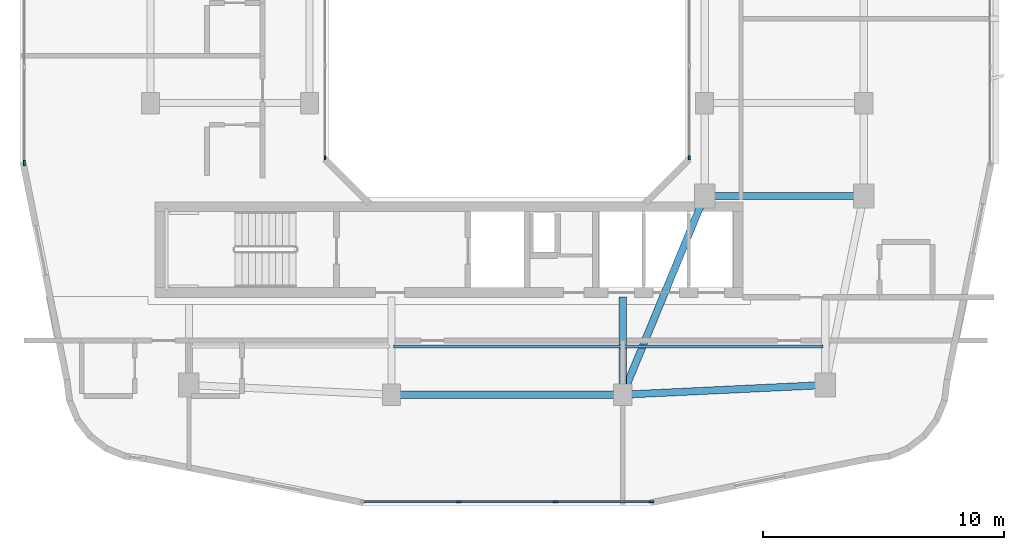
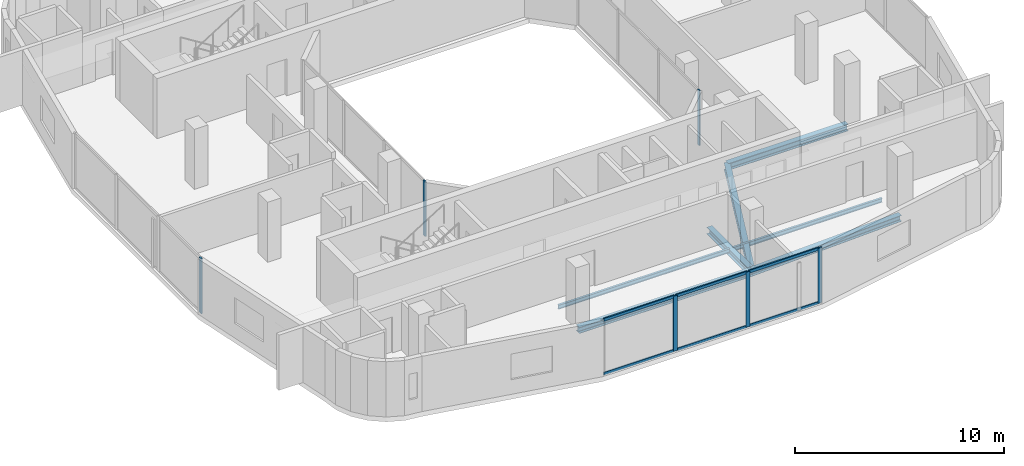
# One storey, part 2 of 14: 12 members, 7 beams, 4 elements without a shape of their own.
"""IFC4 building model written with IfcOpenShell, lengths in metres."""

import ifcopenshell
import ifcopenshell.guid

model = None  # the IFC model being written
_history = None  # IfcOwnerHistory: only IFC2X3 demands one
_inside = {}  # id of a spatial element -> (the spatial element, [elements in it])
_under = {}  # id of a project, library or spatial element -> (it, [spatial elements below it])
_declared = {}  # id of a project -> (the project, [libraries it declares])
_typed = {}  # id of a type object -> (the type object, [elements of that type])
_made_of = {}  # id of a material, layer set ... -> (it, [elements and type objects made of it])


def new_model(schema):
    """Start an empty IFC model of exactly this schema.

    Asked for "IFC4X3", IfcOpenShell would pick the latest addendum, in which some entities
    have other attributes; the version numbers below select the first issue.
    IFC2X3 requires an IfcOwnerHistory on every rooted entity: one is made here for all.
    """
    global model, _history
    if schema == "IFC4X3":
        model = ifcopenshell.file(schema_version=(4, 3, 0, 0))
    else:
        model = ifcopenshell.file(schema=schema)
    _inside.clear()
    _under.clear()
    _declared.clear()
    _typed.clear()
    _made_of.clear()
    _history = None
    if model.schema == "IFC2X3":
        org = make("IfcOrganization", Name="unknown")
        user = make(
            "IfcPersonAndOrganization",
            ThePerson=make("IfcPerson", FamilyName="unknown"),
            TheOrganization=org,
        )
        app = make(
            "IfcApplication",
            ApplicationDeveloper=org,
            Version="unknown",
            ApplicationFullName="unknown",
            ApplicationIdentifier="unknown",
        )
        _history = make(
            "IfcOwnerHistory",
            OwningUser=user,
            OwningApplication=app,
            ChangeAction="ADDED",
            CreationDate=0,
        )
    return model


def make(cls, **values):
    """One entity of the class cls with the attributes given. An attribute that is None is left unset."""
    return model.create_entity(
        cls, **{name: value for name, value in values.items() if value is not None}
    )


def rooted(cls, **values):
    """An entity with a GlobalId (a new one), such as an element, a storey or a relation."""
    return make(cls, GlobalId=ifcopenshell.guid.new(), OwnerHistory=_history, **values)


def si_unit(unit_type, name, prefix=None):
    """IfcSIUnit, for example si_unit("LENGTHUNIT", "METRE", prefix="MILLI")."""
    return make("IfcSIUnit", UnitType=unit_type, Prefix=prefix, Name=name)


def derived_unit(unit_type, elements):
    """IfcDerivedUnit: a product of units, each with its exponent."""
    return make(
        "IfcDerivedUnit",
        Elements=[
            make("IfcDerivedUnitElement", Unit=unit, Exponent=power)
            for unit, power in elements
        ],
        UnitType=unit_type,
    )


def assignment(units):
    """IfcUnitAssignment: the units of a project."""
    return None if units is None else make("IfcUnitAssignment", Units=units)


def point(xyz):
    """IfcCartesianPoint."""
    return None if xyz is None else make("IfcCartesianPoint", Coordinates=xyz)


def direction(xyz):
    """IfcDirection."""
    return None if xyz is None else make("IfcDirection", DirectionRatios=xyz)


def frame(location, z_axis=None, x_axis=None):
    """IfcAxis2Placement3D, a coordinate frame: its origin and axes. An axis left out is left unset."""
    return make(
        "IfcAxis2Placement3D",
        Location=point(location),
        Axis=direction(z_axis),
        RefDirection=direction(x_axis),
    )


def frame_2d(location, x_axis=None):
    """IfcAxis2Placement2D, a coordinate frame in the plane: its origin and x axis."""
    return make(
        "IfcAxis2Placement2D", Location=point(location), RefDirection=direction(x_axis)
    )


def origin():
    """The frame at (0, 0, 0) with its axes left unset."""
    return frame((0.0, 0.0, 0.0))


def origin_2d():
    """The frame at (0, 0) in the plane with its x axis left unset."""
    return frame_2d((0.0, 0.0))


def place(relative_to, where):
    """IfcLocalPlacement: puts the frame where relative to a parent placement (None: the world)."""
    return make(
        "IfcLocalPlacement", PlacementRelTo=relative_to, RelativePlacement=where
    )


def context(
    kind, dimensions, precision=None, world=None, true_north=None, identifier=None
):
    """IfcGeometricRepresentationContext, for example the 3D "Model" context."""
    return make(
        "IfcGeometricRepresentationContext",
        ContextIdentifier=identifier,
        ContextType=kind,
        CoordinateSpaceDimension=dimensions,
        Precision=precision,
        WorldCoordinateSystem=world,
        TrueNorth=true_north,
    )


def subcontext(parent, identifier, kind, view, scale=None):
    """IfcGeometricRepresentationSubContext, for example "Body" below "Model"."""
    return make(
        "IfcGeometricRepresentationSubContext",
        ContextIdentifier=identifier,
        ContextType=kind,
        ParentContext=parent,
        TargetScale=scale,
        TargetView=view,
    )


def project(units=None, contexts=None):
    """IfcProject with its units and contexts."""
    return rooted(
        "IfcProject",
        Name="project",
        RepresentationContexts=contexts,
        UnitsInContext=assignment(units),
    )


def spatial(cls, under=None, at=None, **own):
    """A site, building, storey or space (cls), placed at a placement, below another one or the project."""
    s = rooted(cls, ObjectPlacement=at, **own)
    if under is not None:
        _under.setdefault(under.id(), (under, []))[1].append(s)
    return s


def profile(cls, at=None, kind="AREA", **sizes):
    """A parametric profile (cls). Its sizes go by their IFC names, for example OverallWidth=200.0."""
    return make(cls, ProfileType=kind, Position=at, **sizes)


def rectangle(**sizes):
    """IfcRectangleProfileDef."""
    return profile("IfcRectangleProfileDef", **sizes)


def i_section(**sizes):
    """IfcIShapeProfileDef."""
    return profile("IfcIShapeProfileDef", **sizes)


def extrude(swept, where, along, depth):
    """IfcExtrudedAreaSolid: the profile swept, set in the frame where, extruded along a direction by depth."""
    return make(
        "IfcExtrudedAreaSolid",
        SweptArea=swept,
        Position=where,
        ExtrudedDirection=direction(along),
        Depth=depth,
    )


def shape(context_of_items, identifier, shape_type, items):
    """IfcShapeRepresentation: the items that make up one representation, for example the "Body"."""
    return make(
        "IfcShapeRepresentation",
        ContextOfItems=context_of_items,
        RepresentationIdentifier=identifier,
        RepresentationType=shape_type,
        Items=items,
    )


def material(Name=None, Category=None):
    """IfcMaterial."""
    return make("IfcMaterial", Name=Name, Category=Category)


def layer(
    of_material, thickness, ventilated=None, Name=None, Category=None, Priority=None
):
    """IfcMaterialLayer: one layer of a wall or slab, of a material (None: an air gap)."""
    return make(
        "IfcMaterialLayer",
        Material=of_material,
        LayerThickness=thickness,
        IsVentilated=ventilated,
        Name=Name,
        Category=Category,
        Priority=Priority,
    )


def layer_set(layers, Name=None):
    """IfcMaterialLayerSet."""
    return make("IfcMaterialLayerSet", MaterialLayers=layers, LayerSetName=Name)


def material_profile(
    of_material, cross_section, Name=None, Category=None, Priority=None
):
    """IfcMaterialProfile: a cross section and its material."""
    return make(
        "IfcMaterialProfile",
        Name=Name,
        Material=of_material,
        Profile=cross_section,
        Priority=Priority,
        Category=Category,
    )


def profile_set(profiles, Name=None, composite=None):
    """IfcMaterialProfileSet."""
    return make(
        "IfcMaterialProfileSet",
        Name=Name,
        MaterialProfiles=profiles,
        CompositeProfile=composite,
    )


def made_of(thing, what):
    """Note that an element or type object is made of a material, layer set ...; save() writes the relation."""
    if what is not None:
        _made_of.setdefault(what.id(), (what, []))[1].append(thing)
    return thing


def type_object(cls, material=None, **own):
    """A type object (cls), such as IfcWallType, which elements share."""
    return made_of(rooted(cls, **own), material)


def element(
    cls,
    number,
    at=None,
    inside=None,
    cuts=None,
    type_object=None,
    material=None,
    context=None,
    identifier="Body",
    shape_type=None,
    held_by="IfcProductDefinitionShape",
    body=None,
    shapes=None,
    **own,
):
    """One element of the class cls, such as IfcWall. Its Tag is "e" and its number.

    at: its placement. inside: the storey or other place that contains it. cuts: it is an
    opening in that element (IfcRelVoidsElement). A single representation is given by context,
    identifier, shape_type and body (its items); several are given by shapes. held_by: the class
    of the entity that holds the representations. save() writes the other relations.
    """
    e = rooted(cls, Tag="e%d" % number, ObjectPlacement=at, **own)
    if body is not None:
        shapes = [shape(context, identifier, shape_type, body)]
    if shapes is not None:
        e.Representation = make(held_by, Representations=shapes)
    if inside is not None:
        _inside.setdefault(inside.id(), (inside, []))[1].append(e)
    if cuts is not None:
        rooted(
            "IfcRelVoidsElement", RelatingBuildingElement=cuts, RelatedOpeningElement=e
        )
    if type_object is not None:
        _typed.setdefault(type_object.id(), (type_object, []))[1].append(e)
    return made_of(e, material)


def aggregate(whole, parts):
    """IfcRelAggregates: a whole, such as a stair, and the parts it consists of."""
    return rooted("IfcRelAggregates", RelatingObject=whole, RelatedObjects=parts)


def save(model, path):
    """Write the relations noted so far, then the file.

    IfcRelAggregates (storeys below a building ...), IfcRelContainedInSpatialStructure (elements
    in a storey), IfcRelDefinesByType, IfcRelAssociatesMaterial and IfcRelDeclares: one each for
    every whole, place, type object, material and project.
    """
    for whole, parts in _under.values():
        aggregate(whole, parts)
    for where, things in _inside.values():
        rooted(
            "IfcRelContainedInSpatialStructure",
            RelatedElements=things,
            RelatingStructure=where,
        )
    for kind, things in _typed.values():
        rooted("IfcRelDefinesByType", RelatedObjects=things, RelatingType=kind)
    for what, things in _made_of.values():
        rooted("IfcRelAssociatesMaterial", RelatedObjects=things, RelatingMaterial=what)
    for by, libraries in _declared.values():
        rooted("IfcRelDeclares", RelatingContext=by, RelatedDefinitions=libraries)
    model.write(path)


model = new_model("IFC4")

# Units and contexts
model_context = context("Model", 3, precision=1e-05, world=origin(), true_north=direction((0.0, 1.0)))
body_context = subcontext(model_context, "Body", "Model", "MODEL_VIEW")
ifc_project = project(units=[si_unit("LENGTHUNIT", "METRE"), si_unit("AREAUNIT", "SQUARE_METRE"), si_unit("VOLUMEUNIT", "CUBIC_METRE"), si_unit("PLANEANGLEUNIT", "RADIAN"), si_unit("MASSUNIT", "GRAM", prefix="KILO"), derived_unit("THERMALTRANSMITTANCEUNIT", [(si_unit("POWERUNIT", "WATT"), 1), (si_unit("LENGTHUNIT", "METRE"), -2), (si_unit("THERMODYNAMICTEMPERATUREUNIT", "KELVIN"), -1)])], contexts=[model_context])

# Site, building, storey
site_placement = place(None, origin())
site = spatial("IfcSite", under=ifc_project, at=site_placement, CompositionType="ELEMENT")
building_placement = place(site_placement, origin())
building = spatial("IfcBuilding", under=site, at=building_placement, Name="Kivonza Crest Hotel", CompositionType="ELEMENT")
storey_placement = place(building_placement, frame((0.0, 0.0, 152.0)))
storey = spatial("IfcBuildingStorey", under=building, at=storey_placement, Name="L41", CompositionType="ELEMENT", Elevation=152.0)

# Beams
ifc_material_1 = material(Name="Steel S355", Category="steel")
ifc_material_profile_1 = material_profile(ifc_material_1, i_section(OverallWidth=0.300048828125, OverallDepth=0.360107421875, WebThickness=0.012451171875, FlangeThickness=0.0224609375, FilletRadius=0.027099609375, at=origin_2d()), Name="HEB 360")
ifc_profile_set_1 = profile_set([ifc_material_profile_1], Name="Steel S355")
beam_type_1 = type_object("IfcBeamType", Name="BM-HEB360", PredefinedType="SPANDREL", material=ifc_profile_set_1)
beam_1_placement = place(storey_placement, frame((16.199951171875, 9.39990234375, -0.4599609375), z_axis=(1.0, 0.0, 0.0), x_axis=(0.0, 1.0, 0.0)))
element("IfcBeam", 1, at=beam_1_placement, inside=storey, type_object=beam_type_1, Name="Tower T1 L41 perimeter spandrel S1-S2", PredefinedType="SPANDREL", context=body_context, shape_type="SweptSolid", body=[
    extrude(i_section(OverallWidth=0.300048828125, OverallDepth=0.360107421875, WebThickness=0.012451171875, FlangeThickness=0.0224609375, FilletRadius=0.027099609375, at=origin_2d()), origin(), (0.0, 0.0, 1.0), 9.60009765625),
])
beam_2_placement = place(storey_placement, frame((25.800048828125, 9.39990234375, -0.4599609375), z_axis=(0.998867283688, 0.047583080799, 0.0), x_axis=(-0.047583080799, 0.998867283688, 0.0)))
element("IfcBeam", 2, at=beam_2_placement, inside=storey, type_object=beam_type_1, Name="Tower T1 L41 perimeter spandrel S2-SE", PredefinedType="SPANDREL", context=body_context, shape_type="SweptSolid", body=[
    extrude(i_section(OverallWidth=0.300048828125, OverallDepth=0.360107421875, WebThickness=0.012451171875, FlangeThickness=0.0224609375, FilletRadius=0.027099609375, at=origin_2d()), origin(), (0.0, 0.0, 1.0), 8.409423828125),
])
ifc_material_profile_2 = material_profile(ifc_material_1, i_section(OverallWidth=0.300048828125, OverallDepth=0.39990234375, WebThickness=0.013427734375, FlangeThickness=0.02392578125, FilletRadius=0.027099609375, at=origin_2d()), Name="HEB 400")
ifc_profile_set_2 = profile_set([ifc_material_profile_2], Name="Steel S355")
beam_type_2 = type_object("IfcBeamType", Name="BM-HEB400", PredefinedType="BEAM", material=ifc_profile_set_2)
beam_3_placement = place(storey_placement, frame((25.800048828125, 9.39990234375, -0.47998046875), z_axis=(0.381022260404, 0.924565864109, 0.0), x_axis=(-0.924565864109, 0.381022260404, 0.0)))
element("IfcBeam", 3, at=beam_3_placement, inside=storey, type_object=beam_type_2, Name="Tower T1 L41 primary girder S1-TSE", PredefinedType="BEAM", context=body_context, shape_type="SweptSolid", body=[
    extrude(i_section(OverallWidth=0.300048828125, OverallDepth=0.39990234375, WebThickness=0.013427734375, FlangeThickness=0.02392578125, FilletRadius=0.027099609375, at=origin_2d()), origin(), (0.0, 0.0, 1.0), 8.923095703125),
])
beam_4_placement = place(storey_placement, frame((29.199951171875, 17.64990234375, -0.47998046875), z_axis=(1.0, 0.0, 0.0), x_axis=(0.0, 1.0, 0.0)))
element("IfcBeam", 4, at=beam_4_placement, inside=storey, type_object=beam_type_2, Name="Tower T1 L41 primary girder TSE-PSE", PredefinedType="BEAM", context=body_context, shape_type="SweptSolid", body=[
    extrude(i_section(OverallWidth=0.300048828125, OverallDepth=0.39990234375, WebThickness=0.013427734375, FlangeThickness=0.02392578125, FilletRadius=0.027099609375, at=origin_2d()), origin(), (0.0, 0.0, 1.0), 6.60009765625),
])
beam_5_placement = place(storey_placement, frame((25.800048828125, 9.39990234375, -0.47998046875), z_axis=(0.0, 1.0, 0.0), x_axis=(-1.0, 0.0, 0.0)))
element("IfcBeam", 5, at=beam_5_placement, inside=storey, type_object=beam_type_2, Name="Tower T1 L41 radial core girder RS2", PredefinedType="BEAM", context=body_context, shape_type="SweptSolid", body=[
    extrude(i_section(OverallWidth=0.300048828125, OverallDepth=0.39990234375, WebThickness=0.013427734375, FlangeThickness=0.02392578125, FilletRadius=0.027099609375, at=origin_2d()), origin(), (0.0, 0.0, 1.0), 4.050048828125),
])
ifc_material_profile_3 = material_profile(ifc_material_1, i_section(OverallWidth=0.1201171875, OverallDepth=0.239990234375, WebThickness=0.006103515625, FlangeThickness=0.009765625, FilletRadius=0.014892578125, at=origin_2d()), Name="IPE 240")
ifc_profile_set_3 = profile_set([ifc_material_profile_3], Name="Steel S355")
beam_type_3 = type_object("IfcBeamType", Name="BM-IPE240", PredefinedType="JOIST", material=ifc_profile_set_3)
beam_6_placement = place(storey_placement, frame((16.280029296875, 11.39990234375, -0.39990234375), z_axis=(1.0, 0.0, 0.0), x_axis=(0.0, 1.0, 0.0)))
element("IfcBeam", 6, at=beam_6_placement, inside=storey, type_object=beam_type_3, Name="Tower T1 L41 South-Mid floor joist", PredefinedType="JOIST", context=body_context, shape_type="SweptSolid", body=[
    extrude(i_section(OverallWidth=0.1201171875, OverallDepth=0.239990234375, WebThickness=0.006103515625, FlangeThickness=0.009765625, FilletRadius=0.014892578125, at=origin_2d()), origin(), (0.0, 0.0, 1.0), 9.43994140625),
])
beam_7_placement = place(storey_placement, frame((25.8798828125, 11.39990234375, -0.39990234375), z_axis=(1.0, 0.0, 0.0), x_axis=(0.0, 1.0, 0.0)))
element("IfcBeam", 7, at=beam_7_placement, inside=storey, type_object=beam_type_3, Name="Tower T1 L41 South-East floor joist", PredefinedType="JOIST", context=body_context, shape_type="SweptSolid", body=[
    extrude(i_section(OverallWidth=0.1201171875, OverallDepth=0.239990234375, WebThickness=0.006103515625, FlangeThickness=0.009765625, FilletRadius=0.014892578125, at=origin_2d()), origin(), (0.0, 0.0, 1.0), 8.240234375),
])

# Curtain wall, member
ifc_material_2 = material(Name="Anodised bronze aluminium and low-E double glazing", Category="aluminium")
ifc_layer_1 = layer(ifc_material_2, 0.159912109375)
ifc_layer_set_1 = layer_set([ifc_layer_1], Name="Anodised bronze aluminium and low-E double glazing")
curtain_wall_type_1 = type_object("IfcCurtainWallType", Name="CW-SYS-5", PredefinedType="NOTDEFINED", material=ifc_layer_set_1)
curtain_wall_1_placement = place(storey_placement, origin())
curtain_wall_1 = element("IfcCurtainWall", 8, at=curtain_wall_1_placement, inside=storey, type_object=curtain_wall_type_1, Name="L41 unitised curtain wall CW-WELL-T1-L41-3", PredefinedType="NOTDEFINED")
ifc_material_3 = material(Name="Anodised bronze aluminium", Category="aluminium")
ifc_material_profile_4 = material_profile(ifc_material_3, rectangle(XDim=0.06494140625, YDim=0.179931640625, at=origin_2d()), Name="CW-M 65x180")
ifc_profile_set_4 = profile_set([ifc_material_profile_4], Name="Anodised bronze aluminium")
member_type_1 = type_object("IfcMemberType", Name="CW-MUL-65x180", PredefinedType="MULLION", material=ifc_profile_set_4)
member_1_placement = place(storey_placement, frame((28.56005859375, 19.232421875, 0.0), z_axis=(0.0, 0.0, 1.0), x_axis=(-1.0, 0.0, 0.0)))
member_1 = element("IfcMember", 9, at=member_1_placement, type_object=member_type_1, Name="CW-5 mullion 1", PredefinedType="MULLION", context=body_context, shape_type="SweptSolid", body=[
    extrude(rectangle(XDim=0.06494140625, YDim=0.179931640625, at=origin_2d()), origin(), (0.0, 0.0, 1.0), 3.219970703125),
])
aggregate(curtain_wall_1, [member_1])

curtain_wall_2_placement = place(storey_placement, origin())
curtain_wall_2 = element("IfcCurtainWall", 10, at=curtain_wall_2_placement, inside=storey, type_object=curtain_wall_type_1, Name="L41 unitised curtain wall CW-WELL-T1-L41-7", PredefinedType="NOTDEFINED")
member_2_placement = place(storey_placement, frame((13.43994140625, 19.232421875, 0.0), z_axis=(0.0, 0.0, 1.0), x_axis=(1.0, 0.0, 0.0)))
member_2 = element("IfcMember", 11, at=member_2_placement, type_object=member_type_1, Name="CW-5 mullion 4", PredefinedType="MULLION", context=body_context, shape_type="SweptSolid", body=[
    extrude(rectangle(XDim=0.06494140625, YDim=0.179931640625, at=origin_2d()), origin(), (0.0, 0.0, 1.0), 3.219970703125),
])
aggregate(curtain_wall_2, [member_2])

# Curtain wall, members
ifc_layer_2 = layer(ifc_material_2, 0.179931640625)
ifc_layer_set_2 = layer_set([ifc_layer_2], Name="Anodised bronze aluminium and low-E double glazing")
curtain_wall_type_2 = type_object("IfcCurtainWallType", Name="CW-SYS-3", PredefinedType="NOTDEFINED", material=ifc_layer_set_2)
curtain_wall_3_placement = place(storey_placement, origin())
curtain_wall_3 = element("IfcCurtainWall", 12, at=curtain_wall_3_placement, inside=storey, type_object=curtain_wall_type_2, Name="L41 unitised curtain wall CW-T1-L41-08", PredefinedType="NOTDEFINED")
ifc_material_profile_5 = material_profile(ifc_material_3, rectangle(XDim=0.074951171875, YDim=0.219970703125, at=origin_2d()), Name="CW-M 75x220")
ifc_profile_set_5 = profile_set([ifc_material_profile_5], Name="Anodised bronze aluminium")
member_type_2 = type_object("IfcMemberType", Name="CW-MUL-75x220", PredefinedType="MULLION", material=ifc_profile_set_5)
member_3_placement = place(storey_placement, frame((18.993408203125, 4.9599609375, 0.0), z_axis=(0.0, 0.0, 1.0), x_axis=(0.0, 1.0, 0.0)))
member_3 = element("IfcMember", 13, at=member_3_placement, type_object=member_type_2, Name="CW-3 mullion 2", PredefinedType="MULLION", context=body_context, shape_type="SweptSolid", body=[
    extrude(rectangle(XDim=0.074951171875, YDim=0.219970703125, at=origin_2d()), origin(), (0.0, 0.0, 1.0), 3.219970703125),
])
member_4_placement = place(storey_placement, frame((23.006591796875, 4.9599609375, 0.0), z_axis=(0.0, 0.0, 1.0), x_axis=(0.0, 1.0, 0.0)))
member_4 = element("IfcMember", 14, at=member_4_placement, type_object=member_type_2, Name="CW-3 mullion 3", PredefinedType="MULLION", context=body_context, shape_type="SweptSolid", body=[
    extrude(rectangle(XDim=0.074951171875, YDim=0.219970703125, at=origin_2d()), origin(), (0.0, 0.0, 1.0), 3.219970703125),
])
member_5_placement = place(storey_placement, frame((26.982421875, 4.9599609375, 0.0), z_axis=(0.0, 0.0, 1.0), x_axis=(0.0, 1.0, 0.0)))
member_5 = element("IfcMember", 15, at=member_5_placement, type_object=member_type_2, Name="CW-3 mullion 4", PredefinedType="MULLION", context=body_context, shape_type="SweptSolid", body=[
    extrude(rectangle(XDim=0.074951171875, YDim=0.219970703125, at=origin_2d()), origin(), (0.0, 0.0, 1.0), 3.219970703125),
])

# Curtain wall, member
curtain_wall_4_placement = place(storey_placement, origin())
curtain_wall_4 = element("IfcCurtainWall", 16, at=curtain_wall_4_placement, inside=storey, type_object=curtain_wall_type_2, Name="L41 unitised curtain wall CW-T1-L41-35", PredefinedType="NOTDEFINED")
member_6_placement = place(storey_placement, frame((0.9599609375, 19.017578125, 0.0), z_axis=(0.0, 0.0, 1.0), x_axis=(1.0, 0.0, 0.0)))
member_6 = element("IfcMember", 17, at=member_6_placement, type_object=member_type_2, Name="CW-3 mullion 4", PredefinedType="MULLION", context=body_context, shape_type="SweptSolid", body=[
    extrude(rectangle(XDim=0.074951171875, YDim=0.219970703125, at=origin_2d()), origin(), (0.0, 0.0, 1.0), 3.219970703125),
])
aggregate(curtain_wall_4, [member_6])

# Member
ifc_material_profile_6 = material_profile(ifc_material_3, rectangle(XDim=0.074951171875, YDim=0.159912109375, at=origin_2d()), Name="CW-T 75x160")
ifc_profile_set_6 = profile_set([ifc_material_profile_6], Name="Anodised bronze aluminium")
member_type_3 = type_object("IfcMemberType", Name="CW-TRN-75x160", PredefinedType="USERDEFINED", material=ifc_profile_set_6)
member_7_placement = place(storey_placement, frame((15.054931640625, 4.9599609375, 0.03759765625), z_axis=(1.0, 0.0, 0.0), x_axis=(0.0, 1.0, 0.0)))
member_7 = element("IfcMember", 18, at=member_7_placement, type_object=member_type_3, Name="CW-3 transom 1.1", ObjectType="TRANSOM", PredefinedType="USERDEFINED", context=body_context, shape_type="SweptSolid", body=[
    extrude(rectangle(XDim=0.074951171875, YDim=0.159912109375, at=origin_2d()), origin(), (0.0, 0.0, 1.0), 3.90087890625),
])

member_8_placement = place(storey_placement, frame((15.054931640625, 4.9599609375, 3.1826171875), z_axis=(1.0, 0.0, 0.0), x_axis=(0.0, 1.0, 0.0)))
member_8 = element("IfcMember", 19, at=member_8_placement, type_object=member_type_3, Name="CW-3 transom 1.2", ObjectType="TRANSOM", PredefinedType="USERDEFINED", context=body_context, shape_type="SweptSolid", body=[
    extrude(rectangle(XDim=0.074951171875, YDim=0.159912109375, at=origin_2d()), origin(), (0.0, 0.0, 1.0), 3.90087890625),
])

member_9_placement = place(storey_placement, frame((19.03076171875, 4.9599609375, 0.03759765625), z_axis=(1.0, 0.0, 0.0), x_axis=(0.0, 1.0, 0.0)))
member_9 = element("IfcMember", 20, at=member_9_placement, type_object=member_type_3, Name="CW-3 transom 2.1", ObjectType="TRANSOM", PredefinedType="USERDEFINED", context=body_context, shape_type="SweptSolid", body=[
    extrude(rectangle(XDim=0.074951171875, YDim=0.159912109375, at=origin_2d()), origin(), (0.0, 0.0, 1.0), 3.9384765625),
])

member_10_placement = place(storey_placement, frame((19.03076171875, 4.9599609375, 3.1826171875), z_axis=(1.0, 0.0, 0.0), x_axis=(0.0, 1.0, 0.0)))
member_10 = element("IfcMember", 21, at=member_10_placement, type_object=member_type_3, Name="CW-3 transom 2.2", ObjectType="TRANSOM", PredefinedType="USERDEFINED", context=body_context, shape_type="SweptSolid", body=[
    extrude(rectangle(XDim=0.074951171875, YDim=0.159912109375, at=origin_2d()), origin(), (0.0, 0.0, 1.0), 3.9384765625),
])

member_11_placement = place(storey_placement, frame((23.044189453125, 4.9599609375, 0.03759765625), z_axis=(1.0, 0.0, 0.0), x_axis=(0.0, 1.0, 0.0)))
member_11 = element("IfcMember", 22, at=member_11_placement, type_object=member_type_3, Name="CW-3 transom 3.1", ObjectType="TRANSOM", PredefinedType="USERDEFINED", context=body_context, shape_type="SweptSolid", body=[
    extrude(rectangle(XDim=0.074951171875, YDim=0.159912109375, at=origin_2d()), origin(), (0.0, 0.0, 1.0), 3.90087890625),
])

member_12_placement = place(storey_placement, frame((23.044189453125, 4.9599609375, 3.1826171875), z_axis=(1.0, 0.0, 0.0), x_axis=(0.0, 1.0, 0.0)))
member_12 = element("IfcMember", 23, at=member_12_placement, type_object=member_type_3, Name="CW-3 transom 3.2", ObjectType="TRANSOM", PredefinedType="USERDEFINED", context=body_context, shape_type="SweptSolid", body=[
    extrude(rectangle(XDim=0.074951171875, YDim=0.159912109375, at=origin_2d()), origin(), (0.0, 0.0, 1.0), 3.90087890625),
])

aggregate(curtain_wall_3, [member_3, member_4, member_5, member_7, member_8, member_9, member_10, member_11, member_12])

save(model, "model.ifc")
